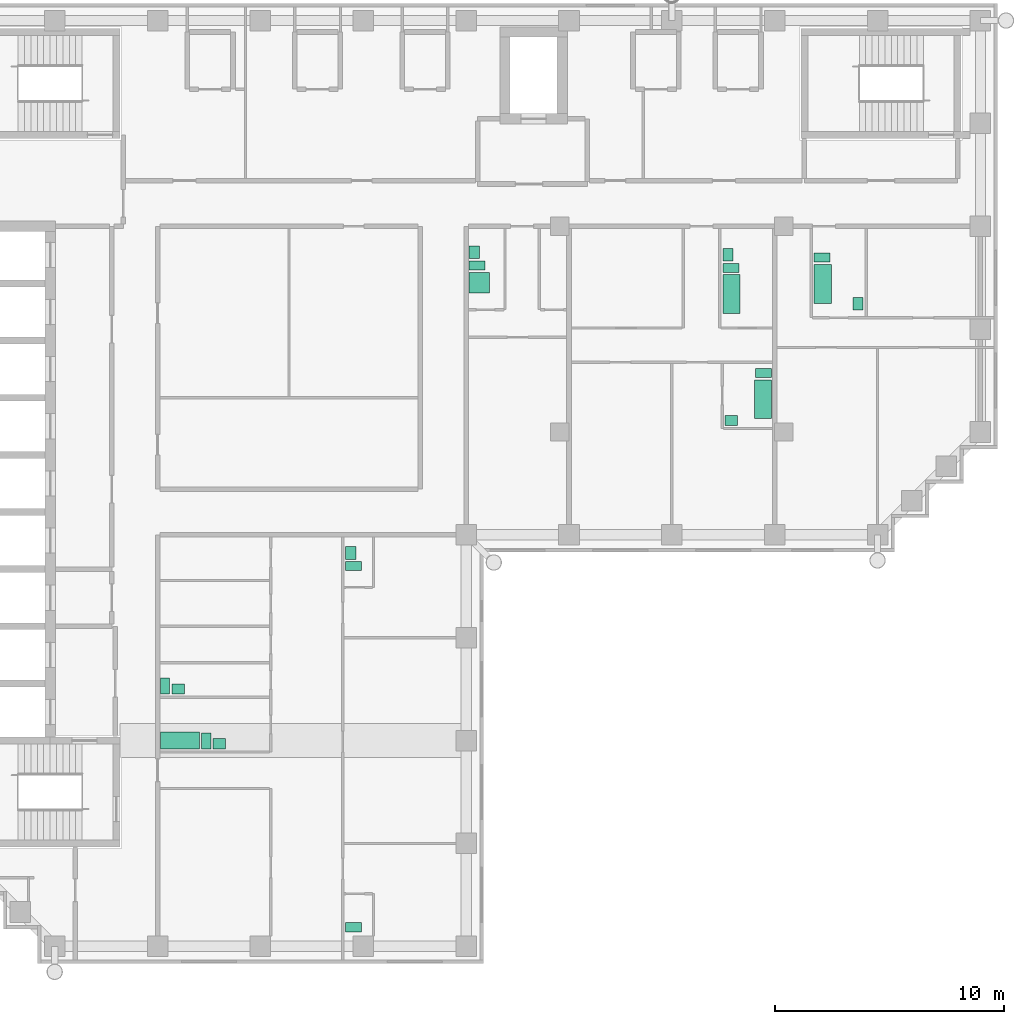
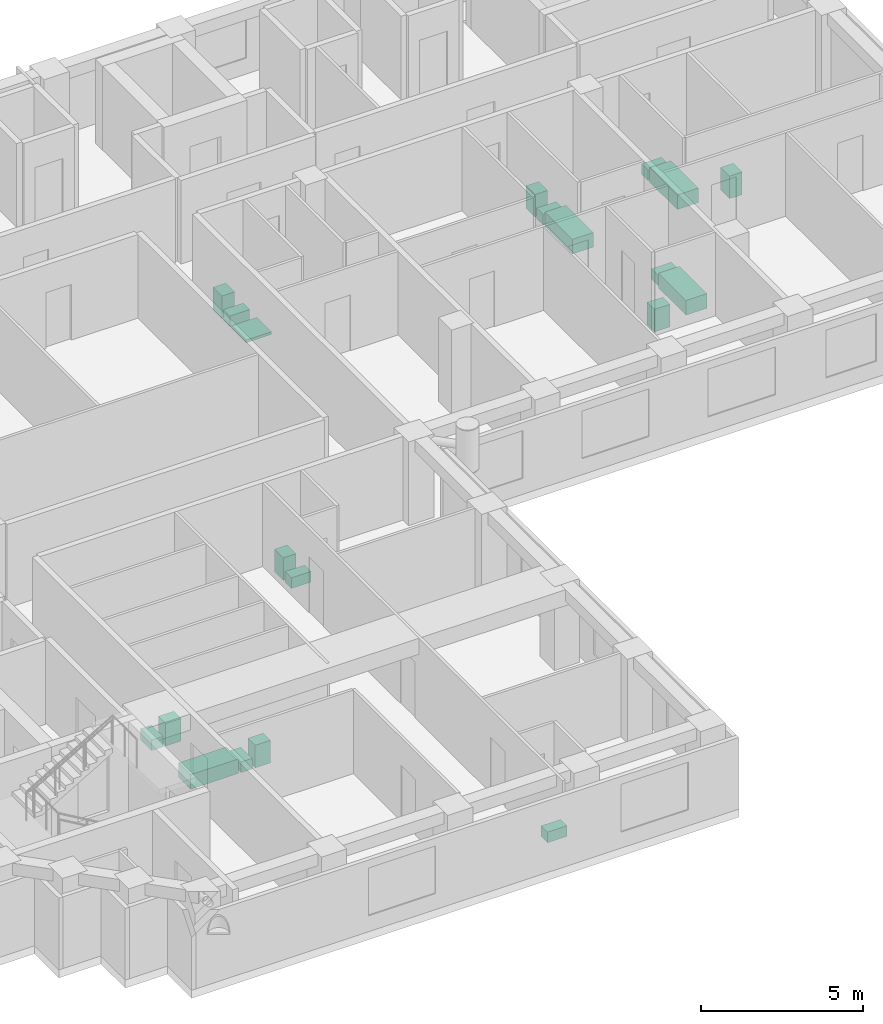
# One storey, part 9 of 9: 20 sanitary terminals.
"""IFC4 building model written with IfcOpenShell, lengths in metres."""

from ifc_helpers import new_model, si_unit, direction, frame, origin, origin_2d, place, context, subcontext, project, spatial, rectangle, extrude, material, type_object, element, save


model = new_model("IFC4")

# Units and contexts
model_context = context("Model", 3, precision=1e-05, world=origin(), true_north=direction((0.0, 1.0)))
body_context = subcontext(model_context, "Body", "Model", "MODEL_VIEW")
ifc_project = project(units=[si_unit("LENGTHUNIT", "METRE"), si_unit("AREAUNIT", "SQUARE_METRE"), si_unit("VOLUMEUNIT", "CUBIC_METRE"), si_unit("PLANEANGLEUNIT", "RADIAN"), si_unit("MASSUNIT", "GRAM", prefix="KILO")], contexts=[model_context])

# Site, building, storey
site_placement = place(None, origin())
site = spatial("IfcSite", under=ifc_project, at=site_placement, CompositionType="ELEMENT")
building_placement = place(site_placement, origin())
building = spatial("IfcBuilding", under=site, at=building_placement, Name="Firuza Court", CompositionType="ELEMENT")
storey_placement = place(building_placement, frame((0.0, 0.0, 254.60009765625)))
storey = spatial("IfcBuildingStorey", under=building, at=storey_placement, Name="L66", CompositionType="ELEMENT", Elevation=254.60009765625)

# Sanitary terminals
ifc_material_1 = material(Name="Vitreous china", Category="ceramic")
sanitary_terminal_type_1 = type_object("IfcSanitaryTerminalType", Name="Fixture Bath", PredefinedType="BATH", material=ifc_material_1)
for number, where, z_axis, x_axis, name in (
    (1, (34.10498046875, 46.530029296875, 0.0), (0.0, 0.0, 1.0), (1.0, 0.0, 0.0), "Bath"),
    (2, (35.4951171875, 41.929931640625, 0.0), (0.0, 0.0, 1.0), (1.0, 0.0, 0.0), "Bath"),
    (3, (38.10498046875, 46.97998046875, 0.0), (0.0, 0.0, 1.0), (1.0, 0.0, 0.0), "Bath"),
):
    element("IfcSanitaryTerminal", number, at=place(storey_placement, frame(where, z_axis=z_axis, x_axis=x_axis)), inside=storey, type_object=sanitary_terminal_type_1, Name=name, PredefinedType="BATH", context=body_context, shape_type="SweptSolid", body=[
        extrude(rectangle(XDim=0.75, YDim=1.699951171875, at=origin_2d()), origin(), (0.0, 0.0, 1.0), 0.550048828125),
    ])
sanitary_terminal_1_placement = place(storey_placement, frame((9.97998046875, 27.0048828125, 0.0), z_axis=(0.0, 0.0, 1.0), x_axis=(1.0, 0.0, 0.0)))
element("IfcSanitaryTerminal", 4, at=sanitary_terminal_1_placement, inside=storey, type_object=sanitary_terminal_type_1, Name="Bath", PredefinedType="BATH", context=body_context, shape_type="SweptSolid", body=[
    extrude(rectangle(XDim=1.699951171875, YDim=0.75, at=origin_2d()), origin(), (0.0, 0.0, 1.0), 0.550048828125),
])
ifc_material_2 = material(Name="Vitreous china", Category="ceramic")
sanitary_terminal_type_2 = type_object("IfcSanitaryTerminalType", Name="Fixture Shower tray", PredefinedType="SHOWER", material=ifc_material_2)
sanitary_terminal_2_placement = place(storey_placement, frame((23.080078125, 47.030029296875, -0.000244140625), z_axis=(0.0, 0.0, 1.0), x_axis=(1.0, 0.0, 0.0)))
element("IfcSanitaryTerminal", 5, at=sanitary_terminal_2_placement, inside=storey, type_object=sanitary_terminal_type_2, Name="Shower tray", PredefinedType="SHOWER", context=body_context, shape_type="SweptSolid", body=[
    extrude(rectangle(XDim=0.89990234375, YDim=0.89990234375, at=origin_2d()), origin(), (0.0, 0.0, 1.0), 0.10009765625),
])
ifc_material_3 = material(Name="Vitreous china", Category="ceramic")
sanitary_terminal_type_3 = type_object("IfcSanitaryTerminalType", Name="Fixture WC pan", PredefinedType="TOILETPAN", material=ifc_material_3)
for number, where, z_axis, x_axis, name in (
    (6, (22.97998046875, 47.780029296875, 0.0), (0.0, 0.0, 1.0), (1.0, 0.0, 0.0), "WC pan"),
    (7, (34.080078125, 47.679931640625, 0.0), (0.0, 0.0, 1.0), (1.0, 0.0, 0.0), "WC pan"),
    (8, (35.52001953125, 43.080078125, 0.0), (0.0, 0.0, 1.0), (1.0, 0.0, 0.0), "WC pan"),
    (9, (38.080078125, 48.1298828125, 0.0), (0.0, 0.0, 1.0), (1.0, 0.0, 0.0), "WC pan"),
):
    element("IfcSanitaryTerminal", number, at=place(storey_placement, frame(where, z_axis=z_axis, x_axis=x_axis)), inside=storey, type_object=sanitary_terminal_type_3, Name=name, PredefinedType="TOILETPAN", context=body_context, shape_type="SweptSolid", body=[
        extrude(rectangle(XDim=0.699951171875, YDim=0.39990234375, at=origin_2d()), origin(), (0.0, 0.0, 1.0), 0.39990234375),
    ])
for number, where, z_axis, x_axis, name in (
    (10, (11.1298828125, 26.97998046875, 0.0), (0.0, 0.0, 1.0), (1.0, 0.0, 0.0), "WC pan"),
    (11, (9.330078125, 29.3798828125, 0.0), (0.0, 0.0, 1.0), (1.0, 0.0, 0.0), "WC pan"),
):
    element("IfcSanitaryTerminal", number, at=place(storey_placement, frame(where, z_axis=z_axis, x_axis=x_axis)), inside=storey, type_object=sanitary_terminal_type_3, Name=name, PredefinedType="TOILETPAN", context=body_context, shape_type="SweptSolid", body=[
        extrude(rectangle(XDim=0.39990234375, YDim=0.699951171875, at=origin_2d()), origin(), (0.0, 0.0, 1.0), 0.39990234375),
    ])
for number, where, z_axis, x_axis, name in (
    (12, (17.580078125, 18.830078125, 0.0), (0.0, 0.0, 1.0), (1.0, 0.0, 0.0), "WC pan"),
    (13, (17.580078125, 34.6298828125, 0.0), (0.0, 0.0, 1.0), (1.0, 0.0, 0.0), "WC pan"),
):
    element("IfcSanitaryTerminal", number, at=place(storey_placement, frame(where, z_axis=z_axis, x_axis=x_axis)), inside=storey, type_object=sanitary_terminal_type_3, Name=name, PredefinedType="TOILETPAN", context=body_context, shape_type="SweptSolid", body=[
        extrude(rectangle(XDim=0.699951171875, YDim=0.39990234375, at=origin_2d()), origin(), (0.0, 0.0, 1.0), 0.39990234375),
    ])
ifc_material_4 = material(Name="Vitreous china", Category="ceramic")
sanitary_terminal_type_4 = type_object("IfcSanitaryTerminalType", Name="Fixture Washbasin", PredefinedType="WASHHANDBASIN", material=ifc_material_4)
for number, where, z_axis, x_axis, name in (
    (14, (22.85498046875, 48.35498046875, -0.000244140625), (0.0, 0.0, 1.0), (1.0, 0.0, 0.0), "Washbasin"),
    (15, (33.955078125, 48.2548828125, -0.000244140625), (0.0, 0.0, 1.0), (1.0, 0.0, 0.0), "Washbasin"),
):
    element("IfcSanitaryTerminal", number, at=place(storey_placement, frame(where, z_axis=z_axis, x_axis=x_axis)), inside=storey, type_object=sanitary_terminal_type_4, Name=name, PredefinedType="WASHHANDBASIN", context=body_context, shape_type="SweptSolid", body=[
        extrude(rectangle(XDim=0.449951171875, YDim=0.550048828125, at=origin_2d()), origin(), (0.0, 0.0, 1.0), 0.85009765625),
    ])
sanitary_terminal_3_placement = place(storey_placement, frame((34.10498046875, 41.0048828125, -0.000244140625), z_axis=(0.0, 0.0, 1.0), x_axis=(1.0, 0.0, 0.0)))
element("IfcSanitaryTerminal", 16, at=sanitary_terminal_3_placement, inside=storey, type_object=sanitary_terminal_type_4, Name="Washbasin", PredefinedType="WASHHANDBASIN", context=body_context, shape_type="SweptSolid", body=[
    extrude(rectangle(XDim=0.550048828125, YDim=0.449951171875, at=origin_2d()), origin(), (0.0, 0.0, 1.0), 0.85009765625),
])
sanitary_terminal_4_placement = place(storey_placement, frame((39.64501953125, 46.10498046875, -0.000244140625), z_axis=(0.0, 0.0, 1.0), x_axis=(1.0, 0.0, 0.0)))
element("IfcSanitaryTerminal", 17, at=sanitary_terminal_4_placement, inside=storey, type_object=sanitary_terminal_type_4, Name="Washbasin", PredefinedType="WASHHANDBASIN", context=body_context, shape_type="SweptSolid", body=[
    extrude(rectangle(XDim=0.449951171875, YDim=0.550048828125, at=origin_2d()), origin(), (0.0, 0.0, 1.0), 0.85009765625),
])
for number, where, z_axis, x_axis, name in (
    (18, (11.705078125, 26.85498046875, -0.000244140625), (0.0, 0.0, 1.0), (1.0, 0.0, 0.0), "Washbasin"),
    (19, (9.905029296875, 29.2548828125, -0.000244140625), (0.0, 0.0, 1.0), (1.0, 0.0, 0.0), "Washbasin"),
):
    element("IfcSanitaryTerminal", number, at=place(storey_placement, frame(where, z_axis=z_axis, x_axis=x_axis)), inside=storey, type_object=sanitary_terminal_type_4, Name=name, PredefinedType="WASHHANDBASIN", context=body_context, shape_type="SweptSolid", body=[
        extrude(rectangle(XDim=0.550048828125, YDim=0.449951171875, at=origin_2d()), origin(), (0.0, 0.0, 1.0), 0.85009765625),
    ])
sanitary_terminal_5_placement = place(storey_placement, frame((17.455078125, 35.205078125, -0.000244140625), z_axis=(0.0, 0.0, 1.0), x_axis=(1.0, 0.0, 0.0)))
element("IfcSanitaryTerminal", 20, at=sanitary_terminal_5_placement, inside=storey, type_object=sanitary_terminal_type_4, Name="Washbasin", PredefinedType="WASHHANDBASIN", context=body_context, shape_type="SweptSolid", body=[
    extrude(rectangle(XDim=0.449951171875, YDim=0.550048828125, at=origin_2d()), origin(), (0.0, 0.0, 1.0), 0.85009765625),
])

save(model, "model.ifc")
